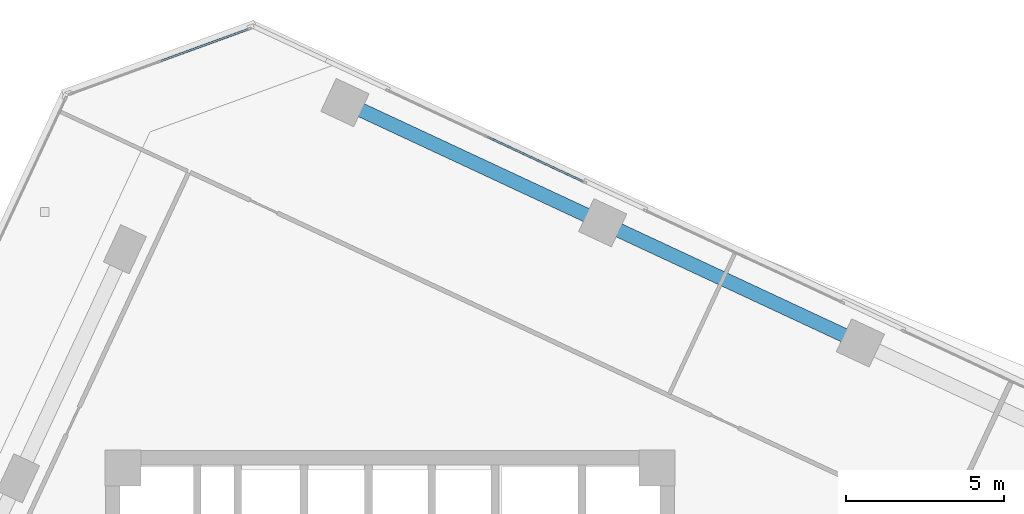
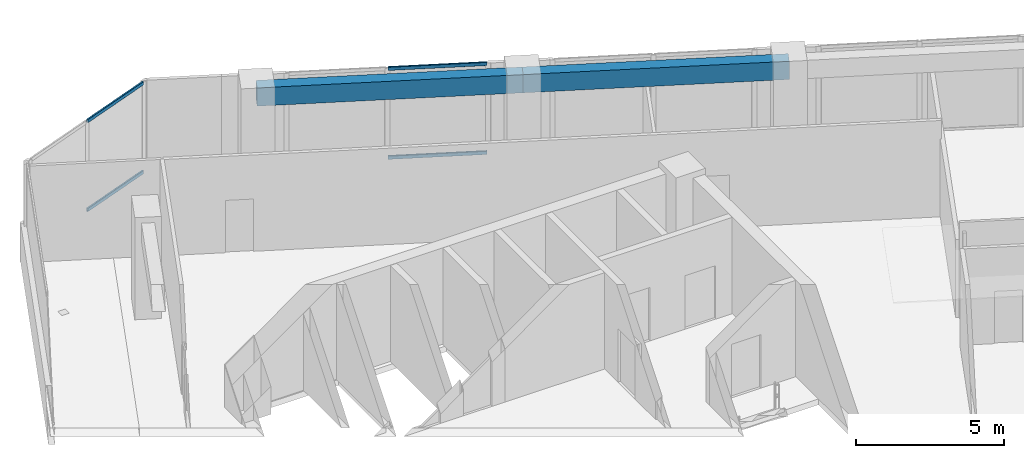
# One storey, part 12 of 23: 4 members, 2 beams, 2 elements without a shape of their own.
"""IFC4 building model written with IfcOpenShell, lengths in metres."""

from ifc_helpers import new_model, si_unit, direction, frame, origin, origin_2d, place, context, subcontext, project, spatial, rectangle, hollow_rectangle, extrude, source, transform, mapped, material, material_profile, profile_set, type_object, element, aggregate, save


model = new_model("IFC4")

# Units and contexts
model_context = context("Model", 3, precision=1e-05, world=origin(), true_north=direction((0.0, 1.0)))
body_context = subcontext(model_context, "Body", "Model", "MODEL_VIEW")
ifc_project = project(units=[si_unit("LENGTHUNIT", "METRE"), si_unit("AREAUNIT", "SQUARE_METRE"), si_unit("VOLUMEUNIT", "CUBIC_METRE"), si_unit("PLANEANGLEUNIT", "RADIAN"), si_unit("MASSUNIT", "GRAM", prefix="KILO")], contexts=[model_context])

# Site, building, storey
site_placement = place(None, origin())
site = spatial("IfcSite", under=ifc_project, at=site_placement, CompositionType="ELEMENT")
building_placement = place(site_placement, origin())
building = spatial("IfcBuilding", under=site, at=building_placement, Name="Torre Montelarca", CompositionType="ELEMENT")
storey_placement = place(building_placement, frame((0.0, 0.0, 154.0)))
storey = spatial("IfcBuildingStorey", under=building, at=storey_placement, Name="L34", CompositionType="ELEMENT", Elevation=154.0)

# Beams
ifc_material_1 = material(Name="Concrete C55/67", Category="concrete")
ifc_material_profile_1 = material_profile(ifc_material_1, rectangle(XDim=0.449951171875, YDim=0.75, at=origin_2d()), Name="RCB450X750", Category="concrete")
ifc_profile_set_1 = profile_set([ifc_material_profile_1], Name="Concrete C55/67")
beam_type = type_object("IfcBeamType", Name="BM-SP-RC750-EXT", PredefinedType="SPANDREL", material=ifc_profile_set_1)
shared_shape_1 = source(origin(), body_context, "Body", "SweptSolid", [
    extrude(rectangle(XDim=0.449951171875, YDim=0.75, at=origin_2d()), origin(), (0.0, 0.0, 1.0), 9.0),
])
beam_1_placement = place(storey_placement, frame((24.730712890625, 47.209716796875, 3.5849609375), z_axis=(0.906311307826, -0.422610711302, 0.0), x_axis=(0.422610711302, 0.906311307826, 0.0)))
element("IfcBeam", 1, at=beam_1_placement, inside=storey, type_object=beam_type, Name="L34 Grid Girder X 18.0-27.0 at Y=47.1", PredefinedType="SPANDREL", context=body_context, shape_type="MappedRepresentation", body=[
    mapped(shared_shape_1, transform((0.0, 0.0, 0.0), scale=1.0)),
])
shared_shape_2 = source(origin(), body_context, "Body", "SweptSolid", [
    extrude(rectangle(XDim=0.449951171875, YDim=0.75, at=origin_2d()), origin(), (0.0, 0.0, 1.0), 9.000244140625),
])
beam_2_placement = place(storey_placement, frame((16.57373046875, 51.01318359375, 3.5849609375), z_axis=(0.906316152515, -0.422600321452, 0.0), x_axis=(0.422600321452, 0.906316152515, 0.0)))
element("IfcBeam", 2, at=beam_2_placement, inside=storey, type_object=beam_type, Name="L34 Grid Girder X 9.0-18.0 at Y=47.1", PredefinedType="SPANDREL", context=body_context, shape_type="MappedRepresentation", body=[
    mapped(shared_shape_2, transform((0.0, 0.0, 0.0), scale=1.0)),
])

# Curtain wall, members
ifc_material_2 = material(Name="Insulated low-E laminated glass", Category="glass")
curtain_wall_type = type_object("IfcCurtainWallType", Name="CW-SYS-Z2", PredefinedType="USERDEFINED", material=ifc_material_2)
curtain_wall_1_placement = place(storey_placement, origin())
curtain_wall_1 = element("IfcCurtainWall", 3, at=curtain_wall_1_placement, inside=storey, type_object=curtain_wall_type, Name="L34 Curtain Wall Run CW-T3-L34-E09-B1", ObjectType="UNITISED GLAZING", PredefinedType="USERDEFINED")
ifc_material_3 = material(Name="Anodised aluminium AA 6063-T6", Category="aluminium")
ifc_material_profile_2 = material_profile(ifc_material_3, hollow_rectangle(XDim=0.06494140625, YDim=0.139892578125, WallThickness=0.00390625, InnerFilletRadius=0.00390625, OuterFilletRadius=0.008056640625, at=origin_2d()), Name="ALU65X140X4", Category="aluminium")
ifc_profile_set_2 = profile_set([ifc_material_profile_2], Name="Anodised aluminium AA 6063-T6")
member_type = type_object("IfcMemberType", Name="CWT-ALU140", PredefinedType="USERDEFINED", material=ifc_profile_set_2)
shared_shape_3 = source(origin(), body_context, "Body", "SweptSolid", [
    extrude(hollow_rectangle(XDim=0.06494140625, YDim=0.139892578125, WallThickness=0.00390625, InnerFilletRadius=0.00390625, OuterFilletRadius=0.008056640625, at=origin_2d()), origin(), (0.0, 0.0, 1.0), 2.91845703125),
])
member_1_placement = place(storey_placement, frame((13.49169921875, 53.327392578125, 0.032470703125), z_axis=(-0.939705462209, -0.341984859745, 0.0), x_axis=(0.341984859745, -0.939705462209, 0.0)))
member_1 = element("IfcMember", 4, at=member_1_placement, type_object=member_type, Name="CW transom 1.1", ObjectType="TRANSOM", PredefinedType="USERDEFINED", context=body_context, shape_type="MappedRepresentation", body=[
    mapped(shared_shape_3, transform((0.0, 0.0, 0.0), scale=1.0)),
])
member_2_placement = place(storey_placement, frame((13.49169921875, 53.327392578125, 3.6875), z_axis=(-0.939705462209, -0.341984859745, 0.0), x_axis=(0.341984859745, -0.939705462209, 0.0)))
member_2 = element("IfcMember", 5, at=member_2_placement, type_object=member_type, Name="CW transom 1.2", ObjectType="TRANSOM", PredefinedType="USERDEFINED", context=body_context, shape_type="MappedRepresentation", body=[
    mapped(shared_shape_3, transform((0.0, 0.0, 0.0), scale=1.0)),
])
aggregate(curtain_wall_1, [member_1, member_2])

curtain_wall_2_placement = place(storey_placement, origin())
curtain_wall_2 = element("IfcCurtainWall", 6, at=curtain_wall_2_placement, inside=storey, type_object=curtain_wall_type, Name="L34 Curtain Wall Run CW-T3-L34-E08-B4", ObjectType="UNITISED GLAZING", PredefinedType="USERDEFINED")
shared_shape_4 = source(origin(), body_context, "Body", "SweptSolid", [
    extrude(hollow_rectangle(XDim=0.06494140625, YDim=0.139892578125, WallThickness=0.00390625, InnerFilletRadius=0.00390625, OuterFilletRadius=0.008056640625, at=origin_2d()), origin(), (0.0, 0.0, 1.0), 3.34765625),
])
member_3_placement = place(storey_placement, frame((24.1044921875, 48.516845703125, 0.032470703125), z_axis=(-0.906302347344, 0.422629927003, 0.0), x_axis=(-0.422629927003, -0.906302347344, 0.0)))
member_3 = element("IfcMember", 7, at=member_3_placement, type_object=member_type, Name="CW transom 1.1", ObjectType="TRANSOM", PredefinedType="USERDEFINED", context=body_context, shape_type="MappedRepresentation", body=[
    mapped(shared_shape_4, transform((0.0, 0.0, 0.0), scale=1.0)),
])
member_4_placement = place(storey_placement, frame((24.1044921875, 48.516845703125, 3.6875), z_axis=(-0.906302347344, 0.422629927003, 0.0), x_axis=(-0.422629927003, -0.906302347344, 0.0)))
member_4 = element("IfcMember", 8, at=member_4_placement, type_object=member_type, Name="CW transom 1.2", ObjectType="TRANSOM", PredefinedType="USERDEFINED", context=body_context, shape_type="MappedRepresentation", body=[
    mapped(shared_shape_4, transform((0.0, 0.0, 0.0), scale=1.0)),
])
aggregate(curtain_wall_2, [member_3, member_4])

save(model, "model.ifc")
